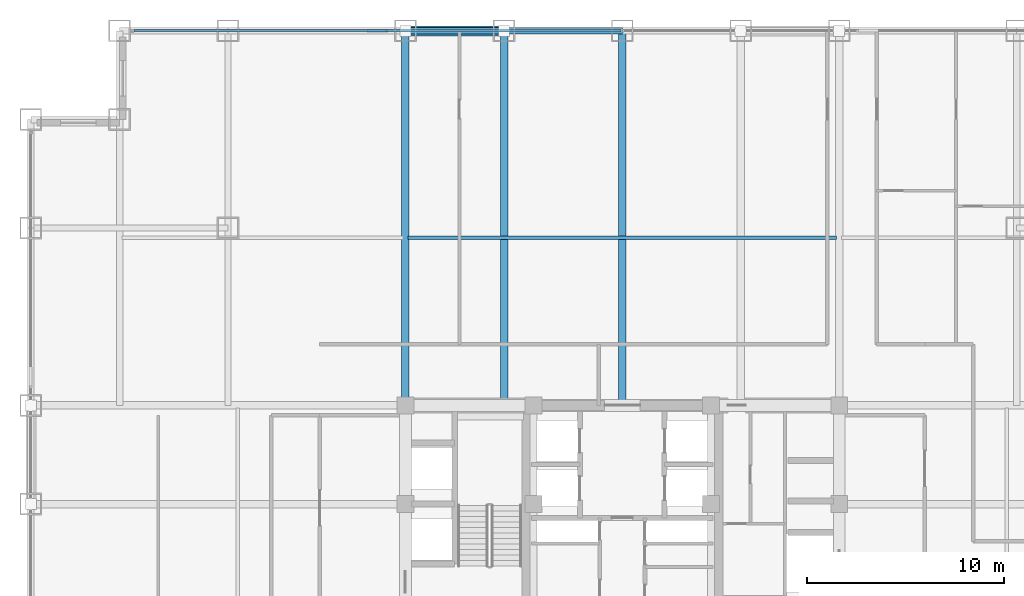
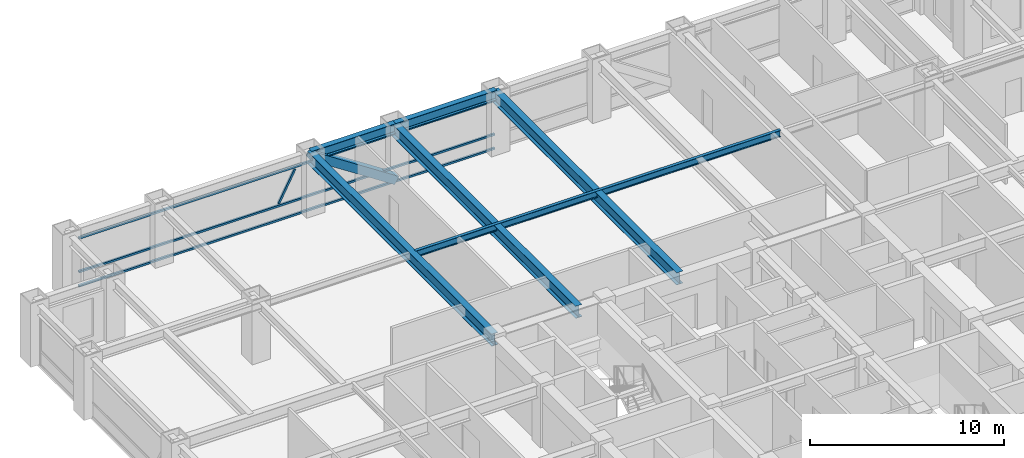
# One storey, part 15 of 24: 6 beams, 5 members, 1 element without a shape of its own.
"""IFC4 building model written with IfcOpenShell, lengths in metres."""

from ifc_helpers import new_model, si_unit, direction, frame, origin, origin_2d, place, context, subcontext, project, spatial, hollow_rectangle, i_section, extrude, source, transform, mapped, material, material_profile, profile_set, type_object, element, aggregate, save


model = new_model("IFC4")

# Units and contexts
model_context = context("Model", 3, precision=1e-05, world=origin(), true_north=direction((0.0, 1.0)))
body_context = subcontext(model_context, "Body", "Model", "MODEL_VIEW")
ifc_project = project(units=[si_unit("LENGTHUNIT", "METRE"), si_unit("AREAUNIT", "SQUARE_METRE"), si_unit("VOLUMEUNIT", "CUBIC_METRE"), si_unit("PLANEANGLEUNIT", "RADIAN"), si_unit("MASSUNIT", "GRAM", prefix="KILO")], contexts=[model_context])

# Site, building, storey
site_placement = place(None, origin())
site = spatial("IfcSite", under=ifc_project, at=site_placement, CompositionType="ELEMENT")
building_placement = place(site_placement, origin())
building = spatial("IfcBuilding", under=site, at=building_placement, Name="Khorayat Bourse Tower", CompositionType="ELEMENT")
storey_placement = place(building_placement, frame((0.0, 0.0, 203.10009765625)))
storey = spatial("IfcBuildingStorey", under=building, at=storey_placement, Name="L47", CompositionType="ELEMENT", Elevation=203.10009765625)

# Beams
ifc_material_1 = material(Name="Steel ASTM A992 Grade 50", Category="steel")
ifc_material_profile_1 = material_profile(ifc_material_1, i_section(OverallWidth=0.381103515625, OverallDepth=0.77294921875, WebThickness=0.0166015625, FlangeThickness=0.027587890625, FilletRadius=0.01806640625, at=origin_2d()), Name="W760X257")
ifc_profile_set_1 = profile_set([ifc_material_profile_1], Name="Steel ASTM A992 Grade 50")
beam_type_1 = type_object("IfcBeamType", Name="BM-GIRD-760", PredefinedType="BEAM", material=ifc_profile_set_1)
shared_shape_1 = source(origin(), body_context, "Body", "SweptSolid", [
    extrude(i_section(OverallWidth=0.381103515625, OverallDepth=0.77294921875, WebThickness=0.0166015625, FlangeThickness=0.027587890625, FilletRadius=0.01806640625, at=origin_2d()), origin(), (0.0, 0.0, 1.0), 19.0),
])
for number, where, z_axis, x_axis, name in (
    (1, (-11.0, 11.0, 3.393310546875), (0.0, 1.0, 0.0), (-1.0, 0.0, 0.0), "L47 BM-GIRD-760 BM-L47-RADY-064"),
    (2, (-6.0, 11.0, 3.393310546875), (0.0, 1.0, 0.0), (-1.0, 0.0, 0.0), "L47 BM-GIRD-760 BM-L47-RADY-066"),
    (3, (0.0, 11.0, 3.393310546875), (0.0, 1.0, 0.0), (-1.0, 0.0, 0.0), "L47 BM-GIRD-760 BM-L47-RADY-068"),
):
    element("IfcBeam", number, at=place(storey_placement, frame(where, z_axis=z_axis, x_axis=x_axis)), inside=storey, type_object=beam_type_1, Name=name, PredefinedType="BEAM", context=body_context, shape_type="MappedRepresentation", body=[
        mapped(shared_shape_1, transform((0.0, 0.0, 0.0), scale=1.0)),
    ])
ifc_material_profile_2 = material_profile(ifc_material_1, i_section(OverallWidth=0.180908203125, OverallDepth=0.4169921875, WebThickness=0.010986328125, FlangeThickness=0.018310546875, FilletRadius=0.011962890625, at=origin_2d()), Name="W410X85")
ifc_profile_set_2 = profile_set([ifc_material_profile_2], Name="Steel ASTM A992 Grade 50")
beam_type_2 = type_object("IfcBeamType", Name="BM-JOIST-410", PredefinedType="JOIST", material=ifc_profile_set_2)
shared_shape_2 = source(origin(), body_context, "Body", "SweptSolid", [
    extrude(i_section(OverallWidth=0.180908203125, OverallDepth=0.4169921875, WebThickness=0.010986328125, FlangeThickness=0.018310546875, FilletRadius=0.011962890625, at=origin_2d()), origin(), (0.0, 0.0, 1.0), 21.740234375),
])
beam_1_placement = place(storey_placement, frame((-10.8701171875, 19.5, 3.5712890625), z_axis=(1.0, 0.0, 0.0), x_axis=(0.0, 1.0, 0.0)))
element("IfcBeam", 4, at=beam_1_placement, inside=storey, type_object=beam_type_2, Name="L47 BM-JOIST-410 BM-L47-JSTX-100", PredefinedType="JOIST", context=body_context, shape_type="MappedRepresentation", body=[
    mapped(shared_shape_2, transform((0.0, 0.0, 0.0), scale=1.0)),
])
ifc_material_profile_3 = material_profile(ifc_material_1, i_section(OverallWidth=0.324951171875, OverallDepth=0.615966796875, WebThickness=0.013916015625, FlangeThickness=0.021484375, FilletRadius=0.01611328125, at=origin_2d()), Name="W610X174")
ifc_profile_set_3 = profile_set([ifc_material_profile_3], Name="Steel ASTM A992 Grade 50")
beam_type_3 = type_object("IfcBeamType", Name="BM-SPAN-610", PredefinedType="SPANDREL", material=ifc_profile_set_3)
shared_shape_3 = source(origin(), body_context, "Body", "SweptSolid", [
    extrude(i_section(OverallWidth=0.324951171875, OverallDepth=0.615966796875, WebThickness=0.013916015625, FlangeThickness=0.021484375, FilletRadius=0.01611328125, at=origin_2d()), origin(), (0.0, 0.0, 1.0), 5.0),
])
beam_2_placement = place(storey_placement, frame((-11.0, 30.0, 3.471923828125), z_axis=(1.0, 0.0, 0.0), x_axis=(0.0, 1.0, 0.0)))
element("IfcBeam", 5, at=beam_2_placement, inside=storey, type_object=beam_type_3, Name="L47 BM-SPAN-610 BM-L47-SPN-049", PredefinedType="SPANDREL", context=body_context, shape_type="MappedRepresentation", body=[
    mapped(shared_shape_3, transform((0.0, 0.0, 0.0), scale=1.0)),
])
shared_shape_4 = source(origin(), body_context, "Body", "SweptSolid", [
    extrude(i_section(OverallWidth=0.324951171875, OverallDepth=0.615966796875, WebThickness=0.013916015625, FlangeThickness=0.021484375, FilletRadius=0.01611328125, at=origin_2d()), origin(), (0.0, 0.0, 1.0), 6.0),
])
beam_3_placement = place(storey_placement, frame((-6.0, 30.0, 3.471923828125), z_axis=(1.0, 0.0, 0.0), x_axis=(0.0, 1.0, 0.0)))
element("IfcBeam", 6, at=beam_3_placement, inside=storey, type_object=beam_type_3, Name="L47 BM-SPAN-610 BM-L47-SPN-048", PredefinedType="SPANDREL", context=body_context, shape_type="MappedRepresentation", body=[
    mapped(shared_shape_4, transform((0.0, 0.0, 0.0), scale=1.0)),
])

# Member
ifc_material_2 = material(Name="Steel EN 10025-4 S460M", Category="steel")
ifc_material_profile_4 = material_profile(ifc_material_2, hollow_rectangle(XDim=0.5, YDim=0.5, WallThickness=0.028076171875, at=origin_2d()), Name="HSS 500x500x28")
ifc_profile_set_4 = profile_set([ifc_material_profile_4], Name="Steel EN 10025-4 S460M")
member_type_1 = type_object("IfcMemberType", Name="MBR-TUBE-500", PredefinedType="BRACE", material=ifc_profile_set_4)
shared_shape_5 = source(origin(), body_context, "Body", "SweptSolid", [
    extrude(hollow_rectangle(XDim=0.5, YDim=0.5, WallThickness=0.028076171875, at=origin_2d()), origin(), (0.0, 0.0, 1.0), 5.979736328125),
])
member_1_placement = place(storey_placement, frame((-11.0, 30.0, 3.52978515625), z_axis=(0.836160261256, 0.0, -0.548485202623), x_axis=(0.0, 1.0, 0.0)))
element("IfcMember", 7, at=member_1_placement, inside=storey, type_object=member_type_1, Name="L47 Perimeter Tube Brace 03", PredefinedType="BRACE", context=body_context, shape_type="MappedRepresentation", body=[
    mapped(shared_shape_5, transform((0.0, 0.0, 0.0), scale=1.0)),
])

# Curtain wall, members
ifc_material_3 = material(Name="Aluminium EN AW-6063 T6", Category="aluminium")
curtain_wall_type = type_object("IfcCurtainWallType", Name="CW-SYS-03", PredefinedType="NOTDEFINED", material=ifc_material_3)
curtain_wall_placement = place(storey_placement, origin())
curtain_wall = element("IfcCurtainWall", 8, at=curtain_wall_placement, inside=storey, type_object=curtain_wall_type, Name="L47 Curtain Wall CW-L47-N1", PredefinedType="NOTDEFINED")
ifc_material_profile_5 = material_profile(ifc_material_3, hollow_rectangle(XDim=0.1201171875, YDim=0.1201171875, WallThickness=0.0048828125, at=origin_2d()), Name="ALU 120x120x5")
ifc_profile_set_5 = profile_set([ifc_material_profile_5], Name="Aluminium EN AW-6063 T6")
member_type_2 = type_object("IfcMemberType", Name="CWM-DIAG-120", PredefinedType="MULLION", material=ifc_profile_set_5)
shared_shape_6 = source(origin(), body_context, "Body", "SweptSolid", [
    extrude(hollow_rectangle(XDim=0.1201171875, YDim=0.1201171875, WallThickness=0.0048828125, at=origin_2d()), origin(), (0.0, 0.0, 1.0), 2.079345703125),
])
member_2_placement = place(storey_placement, frame((-12.904296875, 30.0, 1.08984375), z_axis=(0.465760949701, 0.0, 0.884910581773), x_axis=(0.0, 1.0, 0.0)))
member_2 = element("IfcMember", 9, at=member_2_placement, type_object=member_type_2, Name="CW-L47-N1 Faceted Diagonal Mullion 1", PredefinedType="MULLION", context=body_context, shape_type="MappedRepresentation", body=[
    mapped(shared_shape_6, transform((0.0, 0.0, 0.0), scale=1.0)),
])
ifc_material_profile_6 = material_profile(ifc_material_3, hollow_rectangle(XDim=0.1201171875, YDim=0.1201171875, WallThickness=0.0048828125, at=origin_2d()), Name="ALU 120x120x5")
ifc_profile_set_6 = profile_set([ifc_material_profile_6], Name="Aluminium EN AW-6063 T6")
member_type_3 = type_object("IfcMemberType", Name="CWT-HORZ-120", PredefinedType="USERDEFINED", material=ifc_profile_set_6)
shared_shape_7 = source(origin(), body_context, "Body", "SweptSolid", [
    extrude(hollow_rectangle(XDim=0.1201171875, YDim=0.1201171875, WallThickness=0.0048828125, at=origin_2d()), origin(), (0.0, 0.0, 1.0), 24.719970703125),
])
member_3_placement = place(storey_placement, frame((-24.780029296875, 30.0, 0.059814453125), z_axis=(1.0, 0.0, 0.0), x_axis=(0.0, 1.0, 0.0)))
member_3 = element("IfcMember", 10, at=member_3_placement, type_object=member_type_3, Name="CW-L47-N1 Horizontal Transom 1-1", ObjectType="TRANSOM", PredefinedType="USERDEFINED", context=body_context, shape_type="MappedRepresentation", body=[
    mapped(shared_shape_7, transform((0.0, 0.0, 0.0), scale=1.0)),
])
member_4_placement = place(storey_placement, frame((-24.780029296875, 30.0, 0.949951171875), z_axis=(1.0, 0.0, 0.0), x_axis=(0.0, 1.0, 0.0)))
member_4 = element("IfcMember", 11, at=member_4_placement, type_object=member_type_3, Name="CW-L47-N1 Horizontal Transom 1-2", ObjectType="TRANSOM", PredefinedType="USERDEFINED", context=body_context, shape_type="MappedRepresentation", body=[
    mapped(shared_shape_7, transform((0.0, 0.0, 0.0), scale=1.0)),
])
member_5_placement = place(storey_placement, frame((-24.780029296875, 30.0, 3.06982421875), z_axis=(1.0, 0.0, 0.0), x_axis=(0.0, 1.0, 0.0)))
member_5 = element("IfcMember", 12, at=member_5_placement, type_object=member_type_3, Name="CW-L47-N1 Horizontal Transom 1-3", ObjectType="TRANSOM", PredefinedType="USERDEFINED", context=body_context, shape_type="MappedRepresentation", body=[
    mapped(shared_shape_7, transform((0.0, 0.0, 0.0), scale=1.0)),
])
aggregate(curtain_wall, [member_3, member_4, member_5, member_2])

save(model, "model.ifc")
